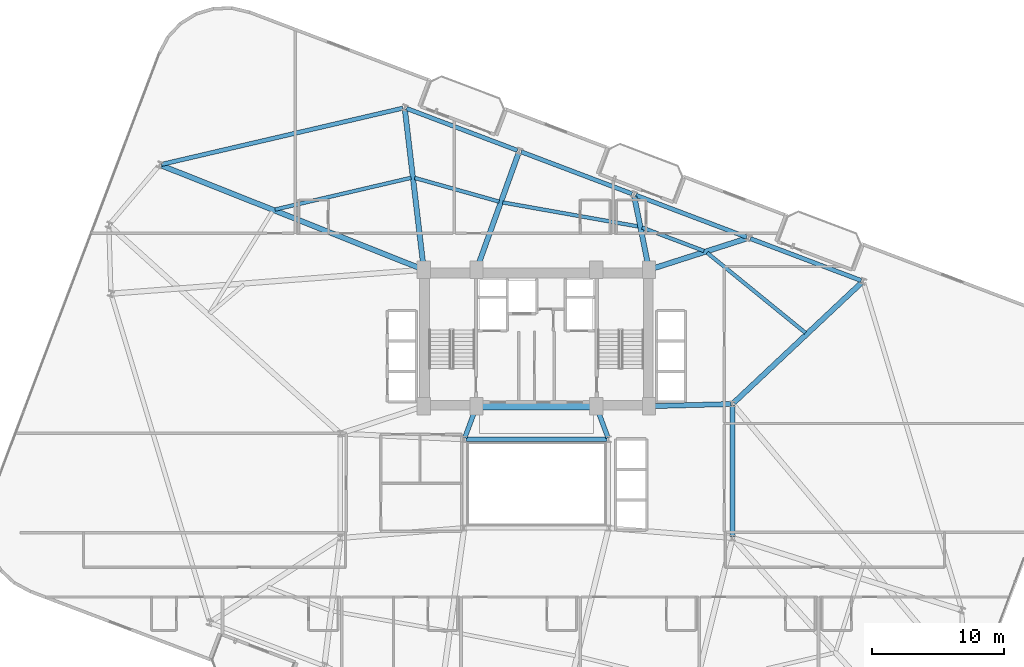
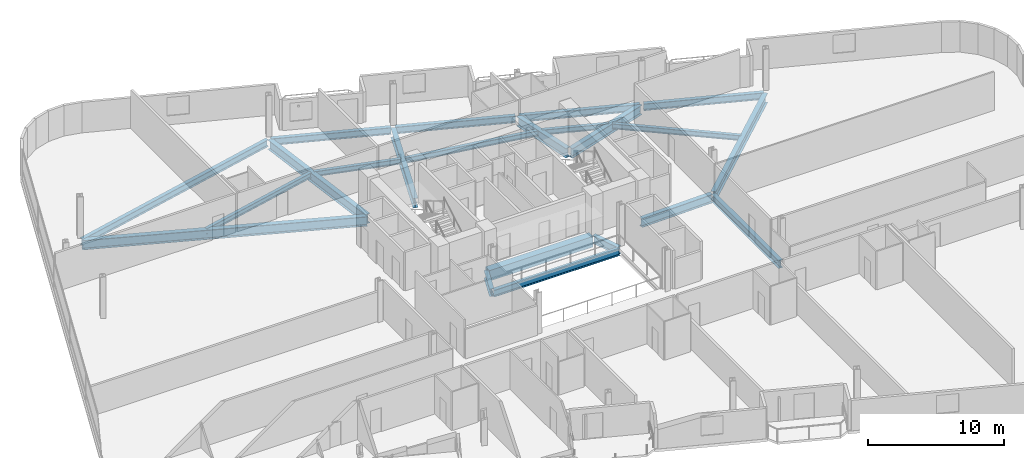
# One storey, part 9 of 26: 22 beams.
"""IFC4 building model written with IfcOpenShell, lengths in metres."""

from ifc_helpers import new_model, si_unit, direction, frame, origin, origin_2d, place, context, subcontext, project, spatial, rectangle, i_section, extrude, material, material_profile, profile_set, type_object, element, save


model = new_model("IFC4")

# Units and contexts
model_context = context("Model", 3, precision=1e-05, world=origin(), true_north=direction((0.0, 1.0)))
body_context = subcontext(model_context, "Body", "Model", "MODEL_VIEW")
ifc_project = project(units=[si_unit("LENGTHUNIT", "METRE"), si_unit("AREAUNIT", "SQUARE_METRE"), si_unit("VOLUMEUNIT", "CUBIC_METRE"), si_unit("PLANEANGLEUNIT", "RADIAN"), si_unit("MASSUNIT", "GRAM", prefix="KILO")], contexts=[model_context])

# Site, building, storey
site_placement = place(None, origin())
site = spatial("IfcSite", under=ifc_project, at=site_placement, CompositionType="ELEMENT")
building_placement = place(site_placement, origin())
building = spatial("IfcBuilding", under=site, at=building_placement, Name="Varnelok Gate Tower", CompositionType="ELEMENT")
storey_placement = place(building_placement, frame((0.0, 0.0, 109.5)))
storey = spatial("IfcBuildingStorey", under=building, at=storey_placement, Name="L27", CompositionType="ELEMENT", Elevation=109.5)

# Beams
ifc_material_1 = material(Name="Structural Steel ASTM A992 Grade 50", Category="steel")
ifc_material_profile_1 = material_profile(ifc_material_1, i_section(OverallWidth=0.280029296875, OverallDepth=0.462890625, WebThickness=0.0107421875, FlangeThickness=0.017333984375, FilletRadius=0.014892578125, at=origin_2d()), Name="W18X76")
ifc_profile_set_1 = profile_set([ifc_material_profile_1], Name="Structural Steel ASTM A992 Grade 50")
beam_type_1 = type_object("IfcBeamType", Name="BM-JST-W18X76", PredefinedType="JOIST", material=ifc_profile_set_1)
beam_1_placement = place(storey_placement, frame((59.510986328125, 34.288818359375, -0.4814453125), z_axis=(-0.775355227045, 0.631525353327, 0.0), x_axis=(-0.631525353327, -0.775355227045, 0.0)))
element("IfcBeam", 1, at=beam_1_placement, inside=storey, type_object=beam_type_1, Name="L27 Sector Floor Joist 7", PredefinedType="JOIST", context=body_context, shape_type="SweptSolid", body=[
    extrude(i_section(OverallWidth=0.280029296875, OverallDepth=0.462890625, WebThickness=0.0107421875, FlangeThickness=0.017333984375, FilletRadius=0.014892578125, at=origin_2d()), origin(), (0.0, 0.0, 1.0), 9.573486328125),
])
beam_2_placement = place(storey_placement, frame((51.8486328125, 40.47265625, -0.4814453125), z_axis=(-0.935223246671, 0.354058581149, 0.0), x_axis=(-0.354058581149, -0.935223246671, 0.0)))
element("IfcBeam", 2, at=beam_2_placement, inside=storey, type_object=beam_type_1, Name="L27 Sector Floor Joist 8", PredefinedType="JOIST", context=body_context, shape_type="SweptSolid", body=[
    extrude(i_section(OverallWidth=0.280029296875, OverallDepth=0.462890625, WebThickness=0.0107421875, FlangeThickness=0.017333984375, FilletRadius=0.014892578125, at=origin_2d()), origin(), (0.0, 0.0, 1.0), 4.992431640625),
])
beam_3_placement = place(storey_placement, frame((46.910888671875, 42.314208984375, -0.4814453125), z_axis=(-0.984645891689, 0.174563650227, 0.0), x_axis=(-0.174563650227, -0.984645891689, 0.0)))
element("IfcBeam", 3, at=beam_3_placement, inside=storey, type_object=beam_type_1, Name="L27 Sector Floor Joist 9", PredefinedType="JOIST", context=body_context, shape_type="SweptSolid", body=[
    extrude(i_section(OverallWidth=0.280029296875, OverallDepth=0.462890625, WebThickness=0.0107421875, FlangeThickness=0.017333984375, FilletRadius=0.014892578125, at=origin_2d()), origin(), (0.0, 0.0, 1.0), 10.413818359375),
])
beam_4_placement = place(storey_placement, frame((36.384521484375, 44.194580078125, -0.4814453125), z_axis=(-0.962703489882, 0.270558663823, 0.0), x_axis=(-0.270558663823, -0.962703489882, 0.0)))
element("IfcBeam", 4, at=beam_4_placement, inside=storey, type_object=beam_type_1, Name="L27 Sector Floor Joist 10", PredefinedType="JOIST", context=body_context, shape_type="SweptSolid", body=[
    extrude(i_section(OverallWidth=0.280029296875, OverallDepth=0.462890625, WebThickness=0.0107421875, FlangeThickness=0.017333984375, FilletRadius=0.014892578125, at=origin_2d()), origin(), (0.0, 0.0, 1.0), 6.61962890625),
])
beam_5_placement = place(storey_placement, frame((29.740478515625, 45.99169921875, -0.4814453125), z_axis=(-0.973874675851, -0.227086141663, 0.0), x_axis=(0.227086141663, -0.973874675851, 0.0)))
element("IfcBeam", 5, at=beam_5_placement, inside=storey, type_object=beam_type_1, Name="L27 Sector Floor Joist 11", PredefinedType="JOIST", context=body_context, shape_type="SweptSolid", body=[
    extrude(i_section(OverallWidth=0.280029296875, OverallDepth=0.462890625, WebThickness=0.0107421875, FlangeThickness=0.017333984375, FilletRadius=0.014892578125, at=origin_2d()), origin(), (0.0, 0.0, 1.0), 10.54345703125),
])
ifc_material_2 = material(Name="Concrete C60/75", Category="concrete")
ifc_material_profile_2 = material_profile(ifc_material_2, rectangle(XDim=0.60009765625, YDim=0.949951171875, at=origin_2d()), Name="RC950X600")
ifc_profile_set_2 = profile_set([ifc_material_profile_2], Name="Concrete C60/75")
beam_type_2 = type_object("IfcBeamType", Name="BM-LNT-RC950", PredefinedType="LINTEL", material=ifc_profile_set_2)
beam_6_placement = place(storey_placement, frame((34.800048828125, 28.75, -0.72509765625), z_axis=(1.0, 0.0, 0.0), x_axis=(0.0, 1.0, 0.0)))
element("IfcBeam", 6, at=beam_6_placement, inside=storey, type_object=beam_type_2, Name="L27 Core-Atrium Spine Beam 7", PredefinedType="LINTEL", context=body_context, shape_type="SweptSolid", body=[
    extrude(rectangle(XDim=0.60009765625, YDim=0.949951171875, at=origin_2d()), origin(), (0.0, 0.0, 1.0), 8.800048828125),
])
ifc_material_profile_3 = material_profile(ifc_material_1, i_section(OverallWidth=0.35498046875, OverallDepth=0.696044921875, WebThickness=0.015380859375, FlangeThickness=0.02490234375, FilletRadius=0.02001953125, at=origin_2d()), Name="W27X146")
ifc_profile_set_3 = profile_set([ifc_material_profile_3], Name="Structural Steel ASTM A992 Grade 50")
beam_type_3 = type_object("IfcBeamType", Name="BM-PRI-W27X146", PredefinedType="BEAM", material=ifc_profile_set_3)
for number, where, z_axis, x_axis, name in (
    (7, (33.791748046875, 26.362548828125, -0.597900390625), (0.348719329408, 0.937227202602, 0.0), (-0.937227202602, 0.348719329408, 0.0), "L27 Core-Atrium Spine Beam 12"),
    (8, (44.608154296875, 26.362548828125, -0.597900390625), (-0.348719329408, 0.937227202602, 0.0), (-0.937227202602, -0.348719329408, 0.0), "L27 Core-Atrium Spine Beam 13"),
):
    element("IfcBeam", number, at=place(storey_placement, frame(where, z_axis=z_axis, x_axis=x_axis)), inside=storey, type_object=beam_type_3, Name=name, PredefinedType="BEAM", context=body_context, shape_type="SweptSolid", body=[
        extrude(i_section(OverallWidth=0.35498046875, OverallDepth=0.696044921875, WebThickness=0.015380859375, FlangeThickness=0.02490234375, FilletRadius=0.02001953125, at=origin_2d()), origin(), (0.0, 0.0, 1.0), 2.42724609375),
    ])
beam_7_placement = place(storey_placement, frame((54.0, 18.919921875, -0.597900390625), z_axis=(0.0, 1.0, 0.0), x_axis=(-1.0, 0.0, 0.0)))
element("IfcBeam", 9, at=beam_7_placement, inside=storey, type_object=beam_type_3, Name="L27 Core-Atrium Spine Beam 20", PredefinedType="BEAM", context=body_context, shape_type="SweptSolid", body=[
    extrude(i_section(OverallWidth=0.35498046875, OverallDepth=0.696044921875, WebThickness=0.015380859375, FlangeThickness=0.02490234375, FilletRadius=0.02001953125, at=origin_2d()), origin(), (0.0, 0.0, 1.0), 9.880126953125),
])
ifc_material_profile_4 = material_profile(ifc_material_1, i_section(OverallWidth=0.381103515625, OverallDepth=0.77294921875, WebThickness=0.0166015625, FlangeThickness=0.027099609375, FilletRadius=0.02197265625, at=origin_2d()), Name="W30X173")
ifc_profile_set_4 = profile_set([ifc_material_profile_4], Name="Structural Steel ASTM A992 Grade 50")
beam_type_4 = type_object("IfcBeamType", Name="BM-PRI-W30X173", PredefinedType="BEAM", material=ifc_profile_set_4)
beam_8_placement = place(storey_placement, frame((47.820068359375, 28.753173828125, -0.636474609375), z_axis=(0.999635880609, 0.026983443053, 0.0), x_axis=(-0.026983443053, 0.999635880609, 0.0)))
element("IfcBeam", 10, at=beam_8_placement, inside=storey, type_object=beam_type_4, Name="L27 Core-Atrium Spine Beam 19", PredefinedType="BEAM", context=body_context, shape_type="SweptSolid", body=[
    extrude(i_section(OverallWidth=0.381103515625, OverallDepth=0.77294921875, WebThickness=0.0166015625, FlangeThickness=0.027099609375, FilletRadius=0.02197265625, at=origin_2d()), origin(), (0.0, 0.0, 1.0), 6.06201171875),
])
ifc_material_profile_5 = material_profile(ifc_material_1, i_section(OverallWidth=0.39892578125, OverallDepth=0.85498046875, WebThickness=0.018310546875, FlangeThickness=0.029296875, FilletRadius=0.02392578125, at=origin_2d()), Name="W33X201")
ifc_profile_set_5 = profile_set([ifc_material_profile_5], Name="Structural Steel ASTM A992 Grade 50")
beam_type_5 = type_object("IfcBeamType", Name="BM-PRI-W33X201", PredefinedType="BEAM", material=ifc_profile_set_5)
beam_9_placement = place(storey_placement, frame((54.109375, 29.022705078125, -0.677490234375), z_axis=(0.728763782129, 0.684765178624, 0.0), x_axis=(-0.684765178624, 0.728763782129, 0.0)))
element("IfcBeam", 11, at=beam_9_placement, inside=storey, type_object=beam_type_5, Name="L27 Radial Floor Girder 9", PredefinedType="BEAM", context=body_context, shape_type="SweptSolid", body=[
    extrude(i_section(OverallWidth=0.39892578125, OverallDepth=0.85498046875, WebThickness=0.018310546875, FlangeThickness=0.029296875, FilletRadius=0.02392578125, at=origin_2d()), origin(), (0.0, 0.0, 1.0), 13.228515625),
])
beam_10_placement = place(storey_placement, frame((47.8427734375, 39.095703125, -0.677490234375), z_axis=(0.952189173648, 0.305509046656, 0.0), x_axis=(-0.305509046656, 0.952189173648, 0.0)))
element("IfcBeam", 12, at=beam_10_placement, inside=storey, type_object=beam_type_5, Name="L27 Radial Floor Girder 10", PredefinedType="BEAM", context=body_context, shape_type="SweptSolid", body=[
    extrude(i_section(OverallWidth=0.39892578125, OverallDepth=0.85498046875, WebThickness=0.018310546875, FlangeThickness=0.029296875, FilletRadius=0.02392578125, at=origin_2d()), origin(), (0.0, 0.0, 1.0), 7.585205078125),
])
beam_11_placement = place(storey_placement, frame((47.67041015625, 39.197021484375, -0.677490234375), z_axis=(-0.19708105208, 0.980387198463, 0.0), x_axis=(-0.980387198463, -0.19708105208, 0.0)))
element("IfcBeam", 13, at=beam_11_placement, inside=storey, type_object=beam_type_5, Name="L27 Radial Floor Girder 11", PredefinedType="BEAM", context=body_context, shape_type="SweptSolid", body=[
    extrude(i_section(OverallWidth=0.39892578125, OverallDepth=0.85498046875, WebThickness=0.018310546875, FlangeThickness=0.029296875, FilletRadius=0.02392578125, at=origin_2d()), origin(), (0.0, 0.0, 1.0), 5.497802734375),
])
beam_12_placement = place(storey_placement, frame((34.730712890625, 39.191162109375, -0.677490234375), z_axis=(0.338850703631, 0.940840156801, 0.0), x_axis=(-0.940840156801, 0.338850703631, 0.0)))
element("IfcBeam", 14, at=beam_12_placement, inside=storey, type_object=beam_type_5, Name="L27 Radial Floor Girder 12", PredefinedType="BEAM", context=body_context, shape_type="SweptSolid", body=[
    extrude(i_section(OverallWidth=0.39892578125, OverallDepth=0.85498046875, WebThickness=0.018310546875, FlangeThickness=0.029296875, FilletRadius=0.02392578125, at=origin_2d()), origin(), (0.0, 0.0, 1.0), 9.222412109375),
])
beam_13_placement = place(storey_placement, frame((30.682373046875, 39.198974609375, -0.677490234375), z_axis=(-0.117226632165, 0.993105189147, 0.0), x_axis=(-0.993105189147, -0.117226632165, 0.0)))
element("IfcBeam", 15, at=beam_13_placement, inside=storey, type_object=beam_type_5, Name="L27 Radial Floor Girder 13", PredefinedType="BEAM", context=body_context, shape_type="SweptSolid", body=[
    extrude(i_section(OverallWidth=0.39892578125, OverallDepth=0.85498046875, WebThickness=0.018310546875, FlangeThickness=0.029296875, FilletRadius=0.02392578125, at=origin_2d()), origin(), (0.0, 0.0, 1.0), 12.018798828125),
])
beam_14_placement = place(storey_placement, frame((30.560546875, 39.10546875, -0.677490234375), z_axis=(-0.929316441243, 0.369284378271, 0.0), x_axis=(-0.369284378271, -0.929316441243, 0.0)))
element("IfcBeam", 16, at=beam_14_placement, inside=storey, type_object=beam_type_5, Name="L27 Radial Floor Girder 14", PredefinedType="BEAM", context=body_context, shape_type="SweptSolid", body=[
    extrude(i_section(OverallWidth=0.39892578125, OverallDepth=0.85498046875, WebThickness=0.018310546875, FlangeThickness=0.029296875, FilletRadius=0.02392578125, at=origin_2d()), origin(), (0.0, 0.0, 1.0), 21.153076171875),
])
ifc_material_profile_6 = material_profile(ifc_material_1, i_section(OverallWidth=0.323974609375, OverallDepth=0.611083984375, WebThickness=0.0126953125, FlangeThickness=0.01904296875, FilletRadius=0.01806640625, at=origin_2d()), Name="W24X104")
ifc_profile_set_6 = profile_set([ifc_material_profile_6], Name="Structural Steel ASTM A992 Grade 50")
beam_type_6 = type_object("IfcBeamType", Name="BM-SPN-W24X104", PredefinedType="SPANDREL", material=ifc_profile_set_6)
beam_15_placement = place(storey_placement, frame((33.8701171875, 26.25, -0.555419921875), z_axis=(1.0, 0.0, 0.0), x_axis=(0.0, 1.0, 0.0)))
element("IfcBeam", 17, at=beam_15_placement, inside=storey, type_object=beam_type_6, Name="L27 Core-Atrium Spine Beam 9", PredefinedType="SPANDREL", context=body_context, shape_type="SweptSolid", body=[
    extrude(i_section(OverallWidth=0.323974609375, OverallDepth=0.611083984375, WebThickness=0.0126953125, FlangeThickness=0.01904296875, FilletRadius=0.01806640625, at=origin_2d()), origin(), (0.0, 0.0, 1.0), 10.659912109375),
])
beam_16_placement = place(storey_placement, frame((63.71875, 38.23681640625, -0.555419921875), z_axis=(-0.935220356141, 0.354066216208, 0.0), x_axis=(-0.354066216208, -0.935220356141, 0.0)))
element("IfcBeam", 18, at=beam_16_placement, inside=storey, type_object=beam_type_6, Name="L27 Perimeter Spandrel Beam 9", PredefinedType="SPANDREL", context=body_context, shape_type="SweptSolid", body=[
    extrude(i_section(OverallWidth=0.323974609375, OverallDepth=0.611083984375, WebThickness=0.0126953125, FlangeThickness=0.01904296875, FilletRadius=0.01806640625, at=origin_2d()), origin(), (0.0, 0.0, 1.0), 8.9501953125),
])
for number, where, z_axis, x_axis, name in (
    (19, (55.06787109375, 41.511962890625, -0.555419921875), (-0.935216936382, 0.354075248928, 0.0), (-0.354075248928, -0.935216936382, 0.0), "L27 Perimeter Spandrel Beam 10"),
    (20, (46.4169921875, 44.787109375, -0.555419921875), (-0.935225969099, 0.354051389947, 0.0), (-0.354051389947, -0.935225969099, 0.0), "L27 Perimeter Spandrel Beam 11"),
):
    element("IfcBeam", number, at=place(storey_placement, frame(where, z_axis=z_axis, x_axis=x_axis)), inside=storey, type_object=beam_type_6, Name=name, PredefinedType="SPANDREL", context=body_context, shape_type="SweptSolid", body=[
        extrude(i_section(OverallWidth=0.323974609375, OverallDepth=0.611083984375, WebThickness=0.0126953125, FlangeThickness=0.01904296875, FilletRadius=0.01806640625, at=origin_2d()), origin(), (0.0, 0.0, 1.0), 8.949951171875),
    ])
beam_17_placement = place(storey_placement, frame((37.766357421875, 48.06201171875, -0.555419921875), z_axis=(-0.935220356141, 0.354066216208, 0.0), x_axis=(-0.354066216208, -0.935220356141, 0.0)))
element("IfcBeam", 21, at=beam_17_placement, inside=storey, type_object=beam_type_6, Name="L27 Perimeter Spandrel Beam 12", PredefinedType="SPANDREL", context=body_context, shape_type="SweptSolid", body=[
    extrude(i_section(OverallWidth=0.323974609375, OverallDepth=0.611083984375, WebThickness=0.0126953125, FlangeThickness=0.01904296875, FilletRadius=0.01806640625, at=origin_2d()), origin(), (0.0, 0.0, 1.0), 8.9501953125),
])
beam_18_placement = place(storey_placement, frame((29.109619140625, 51.25, -0.555419921875), z_axis=(-0.973877429001, -0.227074334266, 0.0), x_axis=(0.227074334266, -0.973877429001, 0.0)))
element("IfcBeam", 22, at=beam_18_placement, inside=storey, type_object=beam_type_6, Name="L27 Perimeter Spandrel Beam 13", PredefinedType="SPANDREL", context=body_context, shape_type="SweptSolid", body=[
    extrude(i_section(OverallWidth=0.323974609375, OverallDepth=0.611083984375, WebThickness=0.0126953125, FlangeThickness=0.01904296875, FilletRadius=0.01806640625, at=origin_2d()), origin(), (0.0, 0.0, 1.0), 18.6884765625),
])

save(model, "model.ifc")
